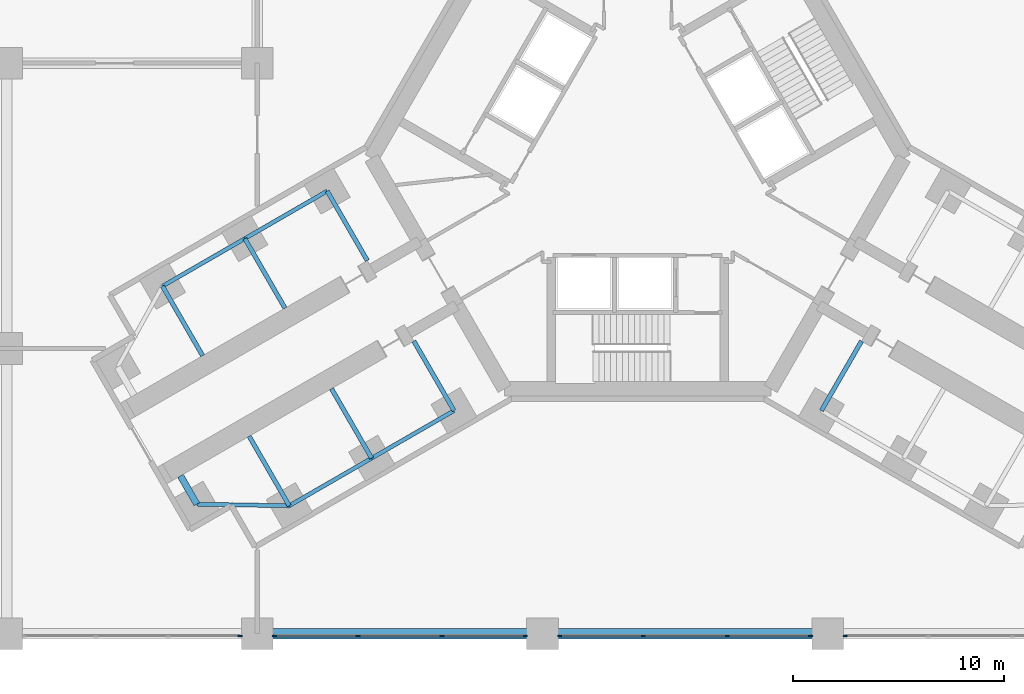
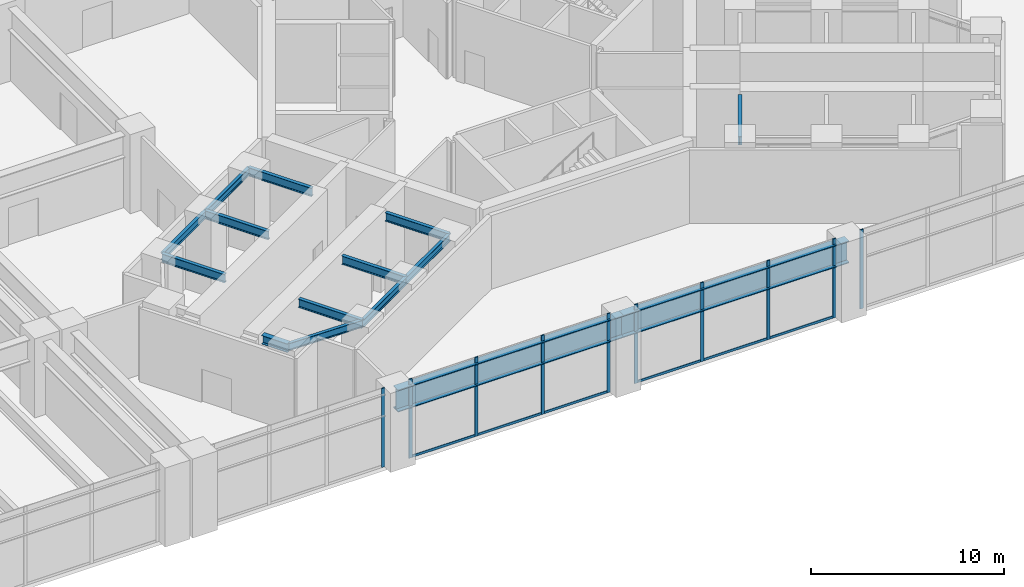
# One storey, part 9 of 31: 16 members, 15 beams, 4 elements without a shape of their own.
"""IFC4 building model written with IfcOpenShell, lengths in metres."""

from ifc_helpers import new_model, si_unit, direction, frame, origin, origin_2d, place, context, subcontext, project, spatial, rectangle, i_section, extrude, material, material_profile, profile_set, type_object, element, aggregate, save


model = new_model("IFC4")

# Units and contexts
model_context = context("Model", 3, precision=1e-05, world=origin(), true_north=direction((0.0, 1.0)))
body_context = subcontext(model_context, "Body", "Model", "MODEL_VIEW")
ifc_project = project(units=[si_unit("LENGTHUNIT", "METRE"), si_unit("AREAUNIT", "SQUARE_METRE"), si_unit("VOLUMEUNIT", "CUBIC_METRE"), si_unit("PLANEANGLEUNIT", "RADIAN"), si_unit("MASSUNIT", "GRAM", prefix="KILO")], contexts=[model_context])

# Site, building, storey
site_placement = place(None, origin())
site = spatial("IfcSite", under=ifc_project, at=site_placement, CompositionType="ELEMENT")
building_placement = place(site_placement, origin())
building = spatial("IfcBuilding", under=site, at=building_placement, Name="Upepo Twin Towers", CompositionType="ELEMENT")
storey_placement = place(building_placement, frame((0.0, 0.0, 15.5)))
storey = spatial("IfcBuildingStorey", under=building, at=storey_placement, Name="L03", CompositionType="ELEMENT", Elevation=15.5)

# Beams
ifc_material_1 = material(Name="Steel S355", Category="steel")
ifc_material_profile_1 = material_profile(ifc_material_1, i_section(OverallWidth=0.5, OverallDepth=1.39990234375, WebThickness=0.02490234375, FlangeThickness=0.050048828125, FilletRadius=0.008056640625, at=origin_2d()), Name="PG 1400x500x25x50")
ifc_profile_set_1 = profile_set([ifc_material_profile_1], Name="Steel S355")
beam_type_1 = type_object("IfcBeamType", Name="Beam PG 1400x500x25x50", PredefinedType="BEAM", material=ifc_profile_set_1)
for number, where, z_axis, x_axis, name in (
    (1, (40.5, -40.5, 3.949951171875), (1.0, 0.0, 0.0), (0.0, 1.0, 0.0), "Podium girder A/6-7"),
    (2, (54.0, -40.5, 3.949951171875), (1.0, 0.0, 0.0), (0.0, 1.0, 0.0), "Podium girder A/7-8"),
):
    element("IfcBeam", number, at=place(storey_placement, frame(where, z_axis=z_axis, x_axis=x_axis)), inside=storey, type_object=beam_type_1, Name=name, PredefinedType="BEAM", context=body_context, shape_type="SweptSolid", body=[
        extrude(i_section(OverallWidth=0.5, OverallDepth=1.39990234375, WebThickness=0.02490234375, FlangeThickness=0.050048828125, FilletRadius=0.008056640625, at=origin_2d()), origin(), (0.0, 0.0, 1.0), 13.5),
    ])
ifc_material_2 = material(Name="Steel S355", Category="steel")
ifc_material_profile_2 = material_profile(ifc_material_2, i_section(OverallWidth=0.1904296875, OverallDepth=0.45703125, WebThickness=0.009033203125, FlangeThickness=0.014404296875, FilletRadius=0.01025390625, at=origin_2d()), Name="UB 457x191x74")
ifc_profile_set_2 = profile_set([ifc_material_profile_2], Name="Steel S355")
beam_type_2 = type_object("IfcBeamType", Name="Beam UB 457x191x74", PredefinedType="BEAM", material=ifc_profile_set_2)
beam_1_placement = place(storey_placement, frame((49.80859375, -29.946044921875, 4.571533203125), z_axis=(-0.866017533419, -0.500013631625, 0.0), x_axis=(0.500013631625, -0.866017533419, 0.0)))
element("IfcBeam", 3, at=beam_1_placement, inside=storey, type_object=beam_type_2, Name="T2 edge beam BL 13.5-18.0", PredefinedType="BEAM", context=body_context, shape_type="SweptSolid", body=[
    extrude(i_section(OverallWidth=0.1904296875, OverallDepth=0.45703125, WebThickness=0.009033203125, FlangeThickness=0.014404296875, FilletRadius=0.01025390625, at=origin_2d()), origin(), (0.0, 0.0, 1.0), 4.499755859375),
])
beam_2_placement = place(storey_placement, frame((45.91162109375, -32.196044921875, 4.571533203125), z_axis=(-0.866031096941, -0.499990139034, 0.0), x_axis=(0.499990139034, -0.866031096941, 0.0)))
element("IfcBeam", 4, at=beam_2_placement, inside=storey, type_object=beam_type_2, Name="T2 edge beam BL 18.0-22.5", PredefinedType="BEAM", context=body_context, shape_type="SweptSolid", body=[
    extrude(i_section(OverallWidth=0.1904296875, OverallDepth=0.45703125, WebThickness=0.009033203125, FlangeThickness=0.014404296875, FilletRadius=0.01025390625, at=origin_2d()), origin(), (0.0, 0.0, 1.0), 4.5),
])
beam_3_placement = place(storey_placement, frame((42.014404296875, -34.446044921875, 4.571533203125), z_axis=(-0.999858804832, 0.016803880528, 0.0), x_axis=(-0.016803880528, -0.999858804832, 0.0)))
element("IfcBeam", 5, at=beam_3_placement, inside=storey, type_object=beam_type_2, Name="T2 nose edge beam BL", PredefinedType="BEAM", context=body_context, shape_type="SweptSolid", body=[
    extrude(i_section(OverallWidth=0.1904296875, OverallDepth=0.45703125, WebThickness=0.009033203125, FlangeThickness=0.014404296875, FilletRadius=0.01025390625, at=origin_2d()), origin(), (0.0, 0.0, 1.0), 4.373291015625),
])
beam_4_placement = place(storey_placement, frame((43.80859375, -19.553955078125, 4.571533203125), z_axis=(-0.866017533419, -0.500013631625, 0.0), x_axis=(0.500013631625, -0.866017533419, 0.0)))
element("IfcBeam", 6, at=beam_4_placement, inside=storey, type_object=beam_type_2, Name="T2 edge beam BR 13.5-18.0", PredefinedType="BEAM", context=body_context, shape_type="SweptSolid", body=[
    extrude(i_section(OverallWidth=0.1904296875, OverallDepth=0.45703125, WebThickness=0.009033203125, FlangeThickness=0.014404296875, FilletRadius=0.01025390625, at=origin_2d()), origin(), (0.0, 0.0, 1.0), 4.499755859375),
])
beam_5_placement = place(storey_placement, frame((39.91162109375, -21.803955078125, 4.571533203125), z_axis=(-0.866031096941, -0.499990139034, 0.0), x_axis=(0.499990139034, -0.866031096941, 0.0)))
element("IfcBeam", 7, at=beam_5_placement, inside=storey, type_object=beam_type_2, Name="T2 edge beam BR 18.0-22.5", PredefinedType="BEAM", context=body_context, shape_type="SweptSolid", body=[
    extrude(i_section(OverallWidth=0.1904296875, OverallDepth=0.45703125, WebThickness=0.009033203125, FlangeThickness=0.014404296875, FilletRadius=0.01025390625, at=origin_2d()), origin(), (0.0, 0.0, 1.0), 4.5),
])
ifc_material_3 = material(Name="Steel S355", Category="steel")
ifc_material_profile_3 = material_profile(ifc_material_3, i_section(OverallWidth=0.209228515625, OverallDepth=0.533203125, WebThickness=0.010009765625, FlangeThickness=0.015625, FilletRadius=0.0126953125, at=origin_2d()), Name="UB 533x210x92")
ifc_profile_set_3 = profile_set([ifc_material_profile_3], Name="Steel S355")
beam_type_3 = type_object("IfcBeamType", Name="Beam UB 533x210x92", PredefinedType="BEAM", material=ifc_profile_set_3)
beam_6_placement = place(storey_placement, frame((49.80859375, -29.946044921875, 4.533447265625), z_axis=(-0.499994975061, 0.866028304915, 0.0), x_axis=(-0.866028304915, -0.499994975061, 0.0)))
element("IfcBeam", 8, at=beam_6_placement, inside=storey, type_object=beam_type_3, Name="T2 girder BL at 13.5", PredefinedType="BEAM", context=body_context, shape_type="SweptSolid", body=[
    extrude(i_section(OverallWidth=0.209228515625, OverallDepth=0.533203125, WebThickness=0.010009765625, FlangeThickness=0.015625, FilletRadius=0.0126953125, at=origin_2d()), origin(), (0.0, 0.0, 1.0), 3.7998046875),
])
beam_7_placement = place(storey_placement, frame((45.91162109375, -32.196044921875, 4.533447265625), z_axis=(-0.500043160704, 0.866000483506, 0.0), x_axis=(-0.866000483506, -0.500043160704, 0.0)))
element("IfcBeam", 9, at=beam_7_placement, inside=storey, type_object=beam_type_3, Name="T2 girder BL at 18.0", PredefinedType="BEAM", context=body_context, shape_type="SweptSolid", body=[
    extrude(i_section(OverallWidth=0.209228515625, OverallDepth=0.533203125, WebThickness=0.010009765625, FlangeThickness=0.015625, FilletRadius=0.0126953125, at=origin_2d()), origin(), (0.0, 0.0, 1.0), 3.800048828125),
])
beam_8_placement = place(storey_placement, frame((42.014404296875, -34.446044921875, 4.533447265625), z_axis=(-0.499994975061, 0.866028304915, 0.0), x_axis=(-0.866028304915, -0.499994975061, 0.0)))
element("IfcBeam", 10, at=beam_8_placement, inside=storey, type_object=beam_type_3, Name="T2 girder BL at 22.5", PredefinedType="BEAM", context=body_context, shape_type="SweptSolid", body=[
    extrude(i_section(OverallWidth=0.209228515625, OverallDepth=0.533203125, WebThickness=0.010009765625, FlangeThickness=0.015625, FilletRadius=0.0126953125, at=origin_2d()), origin(), (0.0, 0.0, 1.0), 3.7998046875),
])
beam_9_placement = place(storey_placement, frame((43.80859375, -19.553955078125, 4.533447265625), z_axis=(0.500043160704, -0.866000483506, 0.0), x_axis=(0.866000483506, 0.500043160704, 0.0)))
element("IfcBeam", 11, at=beam_9_placement, inside=storey, type_object=beam_type_3, Name="T2 girder BR at 13.5", PredefinedType="BEAM", context=body_context, shape_type="SweptSolid", body=[
    extrude(i_section(OverallWidth=0.209228515625, OverallDepth=0.533203125, WebThickness=0.010009765625, FlangeThickness=0.015625, FilletRadius=0.0126953125, at=origin_2d()), origin(), (0.0, 0.0, 1.0), 3.800048828125),
])
for number, where, z_axis, x_axis, name in (
    (12, (39.91162109375, -21.803955078125, 4.533447265625), (0.499994975061, -0.866028304915, 0.0), (0.866028304915, 0.499994975061, 0.0), "T2 girder BR at 18.0"),
    (13, (36.014404296875, -24.053955078125, 4.533447265625), (0.499994975061, -0.866028304915, 0.0), (0.866028304915, 0.499994975061, 0.0), "T2 girder BR at 22.5"),
    (14, (67.19140625, -29.946044921875, 4.533447265625), (0.499994975061, 0.866028304915, 0.0), (-0.866028304915, 0.499994975061, 0.0), "T2 girder CR at 13.5"),
):
    element("IfcBeam", number, at=place(storey_placement, frame(where, z_axis=z_axis, x_axis=x_axis)), inside=storey, type_object=beam_type_3, Name=name, PredefinedType="BEAM", context=body_context, shape_type="SweptSolid", body=[
        extrude(i_section(OverallWidth=0.209228515625, OverallDepth=0.533203125, WebThickness=0.010009765625, FlangeThickness=0.015625, FilletRadius=0.0126953125, at=origin_2d()), origin(), (0.0, 0.0, 1.0), 3.7998046875),
    ])
ifc_material_4 = material(Name="Steel S355", Category="steel")
ifc_material_profile_4 = material_profile(ifc_material_4, i_section(OverallWidth=0.31201171875, OverallDepth=0.54345703125, WebThickness=0.0126953125, FlangeThickness=0.020263671875, FilletRadius=0.0126953125, at=origin_2d()), Name="UB 533x312x150")
ifc_profile_set_4 = profile_set([ifc_material_profile_4], Name="Steel S355")
beam_type_4 = type_object("IfcBeamType", Name="Beam UB 533x312x150", PredefinedType="BEAM", material=ifc_profile_set_4)
beam_10_placement = place(storey_placement, frame((37.641845703125, -34.37255859375, 4.5283203125), z_axis=(-0.499967891604, 0.866043940782, 0.0), x_axis=(-0.866043940782, -0.499967891604, 0.0)))
element("IfcBeam", 15, at=beam_10_placement, inside=storey, type_object=beam_type_4, Name="T2 nose beam BL", PredefinedType="BEAM", context=body_context, shape_type="SweptSolid", body=[
    extrude(i_section(OverallWidth=0.31201171875, OverallDepth=0.54345703125, WebThickness=0.0126953125, FlangeThickness=0.020263671875, FilletRadius=0.0126953125, at=origin_2d()), origin(), (0.0, 0.0, 1.0), 1.5498046875),
])

# Curtain wall, member
ifc_material_5 = material(Name="Aluminium and clear glass", Category="aluminium")
curtain_wall_type = type_object("IfcCurtainWallType", Name="Podium curtain wall PW1", PredefinedType="NOTDEFINED", material=ifc_material_5)
curtain_wall_1_placement = place(storey_placement, origin())
curtain_wall_1 = element("IfcCurtainWall", 16, at=curtain_wall_1_placement, inside=storey, type_object=curtain_wall_type, Name="Podium L03 curtain wall S5", PredefinedType="NOTDEFINED")
ifc_material_6 = material(Name="Aluminium mullion", Category="aluminium")
ifc_material_profile_5 = material_profile(ifc_material_6, rectangle(XDim=0.06494140625, YDim=0.199951171875, at=origin_2d()), Name="MULLION 65x200 PODIUM")
ifc_profile_set_5 = profile_set([ifc_material_profile_5], Name="Aluminium mullion")
member_type_1 = type_object("IfcMemberType", Name="Mullion 65x200 PW1", PredefinedType="MULLION", material=ifc_profile_set_5)
member_1_placement = place(storey_placement, frame((39.6826171875, -40.60009765625, 0.0), z_axis=(0.0, 0.0, 1.0), x_axis=(0.0, 1.0, 0.0)))
member_1 = element("IfcMember", 17, at=member_1_placement, type_object=member_type_1, Name="Podium L03 curtain wall S5 mullion 4", PredefinedType="MULLION", context=body_context, shape_type="SweptSolid", body=[
    extrude(rectangle(XDim=0.06494140625, YDim=0.199951171875, at=origin_2d()), origin(), (0.0, 0.0, 1.0), 5.0),
])
aggregate(curtain_wall_1, [member_1])

# Curtain wall, members
curtain_wall_2_placement = place(storey_placement, origin())
curtain_wall_2 = element("IfcCurtainWall", 18, at=curtain_wall_2_placement, inside=storey, type_object=curtain_wall_type, Name="Podium L03 curtain wall S6", PredefinedType="NOTDEFINED")
member_2_placement = place(storey_placement, frame((41.3173828125, -40.60009765625, 0.0), z_axis=(0.0, 0.0, 1.0), x_axis=(0.0, 1.0, 0.0)))
member_2 = element("IfcMember", 19, at=member_2_placement, type_object=member_type_1, Name="Podium L03 curtain wall S6 mullion 1", PredefinedType="MULLION", context=body_context, shape_type="SweptSolid", body=[
    extrude(rectangle(XDim=0.06494140625, YDim=0.199951171875, at=origin_2d()), origin(), (0.0, 0.0, 1.0), 5.0),
])
member_3_placement = place(storey_placement, frame((45.26171875, -40.60009765625, 0.0), z_axis=(0.0, 0.0, 1.0), x_axis=(0.0, 1.0, 0.0)))
member_3 = element("IfcMember", 20, at=member_3_placement, type_object=member_type_1, Name="Podium L03 curtain wall S6 mullion 2", PredefinedType="MULLION", context=body_context, shape_type="SweptSolid", body=[
    extrude(rectangle(XDim=0.06494140625, YDim=0.199951171875, at=origin_2d()), origin(), (0.0, 0.0, 1.0), 5.0),
])
member_4_placement = place(storey_placement, frame((49.23828125, -40.60009765625, 0.0), z_axis=(0.0, 0.0, 1.0), x_axis=(0.0, 1.0, 0.0)))
member_4 = element("IfcMember", 21, at=member_4_placement, type_object=member_type_1, Name="Podium L03 curtain wall S6 mullion 3", PredefinedType="MULLION", context=body_context, shape_type="SweptSolid", body=[
    extrude(rectangle(XDim=0.06494140625, YDim=0.199951171875, at=origin_2d()), origin(), (0.0, 0.0, 1.0), 5.0),
])
member_5_placement = place(storey_placement, frame((53.1826171875, -40.60009765625, 0.0), z_axis=(0.0, 0.0, 1.0), x_axis=(0.0, 1.0, 0.0)))
member_5 = element("IfcMember", 22, at=member_5_placement, type_object=member_type_1, Name="Podium L03 curtain wall S6 mullion 4", PredefinedType="MULLION", context=body_context, shape_type="SweptSolid", body=[
    extrude(rectangle(XDim=0.06494140625, YDim=0.199951171875, at=origin_2d()), origin(), (0.0, 0.0, 1.0), 5.0),
])

curtain_wall_3_placement = place(storey_placement, origin())
curtain_wall_3 = element("IfcCurtainWall", 23, at=curtain_wall_3_placement, inside=storey, type_object=curtain_wall_type, Name="Podium L03 curtain wall S7", PredefinedType="NOTDEFINED")
member_6_placement = place(storey_placement, frame((54.8173828125, -40.60009765625, 0.0), z_axis=(0.0, 0.0, 1.0), x_axis=(0.0, 1.0, 0.0)))
member_6 = element("IfcMember", 24, at=member_6_placement, type_object=member_type_1, Name="Podium L03 curtain wall S7 mullion 1", PredefinedType="MULLION", context=body_context, shape_type="SweptSolid", body=[
    extrude(rectangle(XDim=0.06494140625, YDim=0.199951171875, at=origin_2d()), origin(), (0.0, 0.0, 1.0), 5.0),
])
member_7_placement = place(storey_placement, frame((58.76171875, -40.60009765625, 0.0), z_axis=(0.0, 0.0, 1.0), x_axis=(0.0, 1.0, 0.0)))
member_7 = element("IfcMember", 25, at=member_7_placement, type_object=member_type_1, Name="Podium L03 curtain wall S7 mullion 2", PredefinedType="MULLION", context=body_context, shape_type="SweptSolid", body=[
    extrude(rectangle(XDim=0.06494140625, YDim=0.199951171875, at=origin_2d()), origin(), (0.0, 0.0, 1.0), 5.0),
])
member_8_placement = place(storey_placement, frame((62.73828125, -40.60009765625, 0.0), z_axis=(0.0, 0.0, 1.0), x_axis=(0.0, 1.0, 0.0)))
member_8 = element("IfcMember", 26, at=member_8_placement, type_object=member_type_1, Name="Podium L03 curtain wall S7 mullion 3", PredefinedType="MULLION", context=body_context, shape_type="SweptSolid", body=[
    extrude(rectangle(XDim=0.06494140625, YDim=0.199951171875, at=origin_2d()), origin(), (0.0, 0.0, 1.0), 5.0),
])
member_9_placement = place(storey_placement, frame((66.6826171875, -40.60009765625, 0.0), z_axis=(0.0, 0.0, 1.0), x_axis=(0.0, 1.0, 0.0)))
member_9 = element("IfcMember", 27, at=member_9_placement, type_object=member_type_1, Name="Podium L03 curtain wall S7 mullion 4", PredefinedType="MULLION", context=body_context, shape_type="SweptSolid", body=[
    extrude(rectangle(XDim=0.06494140625, YDim=0.199951171875, at=origin_2d()), origin(), (0.0, 0.0, 1.0), 5.0),
])

# Curtain wall, member
curtain_wall_4_placement = place(storey_placement, origin())
curtain_wall_4 = element("IfcCurtainWall", 28, at=curtain_wall_4_placement, inside=storey, type_object=curtain_wall_type, Name="Podium L03 curtain wall S8", PredefinedType="NOTDEFINED")
member_10_placement = place(storey_placement, frame((68.3173828125, -40.60009765625, 0.0), z_axis=(0.0, 0.0, 1.0), x_axis=(0.0, 1.0, 0.0)))
member_10 = element("IfcMember", 29, at=member_10_placement, type_object=member_type_1, Name="Podium L03 curtain wall S8 mullion 1", PredefinedType="MULLION", context=body_context, shape_type="SweptSolid", body=[
    extrude(rectangle(XDim=0.06494140625, YDim=0.199951171875, at=origin_2d()), origin(), (0.0, 0.0, 1.0), 5.0),
])
aggregate(curtain_wall_4, [member_10])

# Member
ifc_material_7 = material(Name="Aluminium transom", Category="aluminium")
ifc_material_profile_6 = material_profile(ifc_material_7, rectangle(XDim=0.06494140625, YDim=0.14990234375, at=origin_2d()), Name="TRANSOM 65x150 PODIUM")
ifc_profile_set_6 = profile_set([ifc_material_profile_6], Name="Aluminium transom")
member_type_2 = type_object("IfcMemberType", Name="Transom 65x150 PW1", PredefinedType="USERDEFINED", material=ifc_profile_set_6)
member_11_placement = place(storey_placement, frame((41.35009765625, -40.60009765625, 0.074951171875), z_axis=(1.0, 0.0, 0.0), x_axis=(0.0, 1.0, 0.0)))
member_11 = element("IfcMember", 30, at=member_11_placement, type_object=member_type_2, Name="Podium L03 curtain wall S6 transom 1", ObjectType="TRANSOM", PredefinedType="USERDEFINED", context=body_context, shape_type="SweptSolid", body=[
    extrude(rectangle(XDim=0.06494140625, YDim=0.14990234375, at=origin_2d()), origin(), (0.0, 0.0, 1.0), 3.879150390625),
])

member_12_placement = place(storey_placement, frame((45.294189453125, -40.60009765625, 0.074951171875), z_axis=(1.0, 0.0, 0.0), x_axis=(0.0, 1.0, 0.0)))
member_12 = element("IfcMember", 31, at=member_12_placement, type_object=member_type_2, Name="Podium L03 curtain wall S6 transom 2", ObjectType="TRANSOM", PredefinedType="USERDEFINED", context=body_context, shape_type="SweptSolid", body=[
    extrude(rectangle(XDim=0.06494140625, YDim=0.14990234375, at=origin_2d()), origin(), (0.0, 0.0, 1.0), 3.91162109375),
])

member_13_placement = place(storey_placement, frame((49.270751953125, -40.60009765625, 0.074951171875), z_axis=(1.0, 0.0, 0.0), x_axis=(0.0, 1.0, 0.0)))
member_13 = element("IfcMember", 32, at=member_13_placement, type_object=member_type_2, Name="Podium L03 curtain wall S6 transom 3", ObjectType="TRANSOM", PredefinedType="USERDEFINED", context=body_context, shape_type="SweptSolid", body=[
    extrude(rectangle(XDim=0.06494140625, YDim=0.14990234375, at=origin_2d()), origin(), (0.0, 0.0, 1.0), 3.879150390625),
])

aggregate(curtain_wall_2, [member_2, member_3, member_4, member_5, member_11, member_12, member_13])

member_14_placement = place(storey_placement, frame((54.85009765625, -40.60009765625, 0.074951171875), z_axis=(1.0, 0.0, 0.0), x_axis=(0.0, 1.0, 0.0)))
member_14 = element("IfcMember", 33, at=member_14_placement, type_object=member_type_2, Name="Podium L03 curtain wall S7 transom 1", ObjectType="TRANSOM", PredefinedType="USERDEFINED", context=body_context, shape_type="SweptSolid", body=[
    extrude(rectangle(XDim=0.06494140625, YDim=0.14990234375, at=origin_2d()), origin(), (0.0, 0.0, 1.0), 3.879150390625),
])

member_15_placement = place(storey_placement, frame((58.794189453125, -40.60009765625, 0.074951171875), z_axis=(1.0, 0.0, 0.0), x_axis=(0.0, 1.0, 0.0)))
member_15 = element("IfcMember", 34, at=member_15_placement, type_object=member_type_2, Name="Podium L03 curtain wall S7 transom 2", ObjectType="TRANSOM", PredefinedType="USERDEFINED", context=body_context, shape_type="SweptSolid", body=[
    extrude(rectangle(XDim=0.06494140625, YDim=0.14990234375, at=origin_2d()), origin(), (0.0, 0.0, 1.0), 3.91162109375),
])

member_16_placement = place(storey_placement, frame((62.770751953125, -40.60009765625, 0.074951171875), z_axis=(1.0, 0.0, 0.0), x_axis=(0.0, 1.0, 0.0)))
member_16 = element("IfcMember", 35, at=member_16_placement, type_object=member_type_2, Name="Podium L03 curtain wall S7 transom 3", ObjectType="TRANSOM", PredefinedType="USERDEFINED", context=body_context, shape_type="SweptSolid", body=[
    extrude(rectangle(XDim=0.06494140625, YDim=0.14990234375, at=origin_2d()), origin(), (0.0, 0.0, 1.0), 3.879150390625),
])

aggregate(curtain_wall_3, [member_6, member_7, member_8, member_9, member_14, member_15, member_16])

save(model, "model.ifc")
